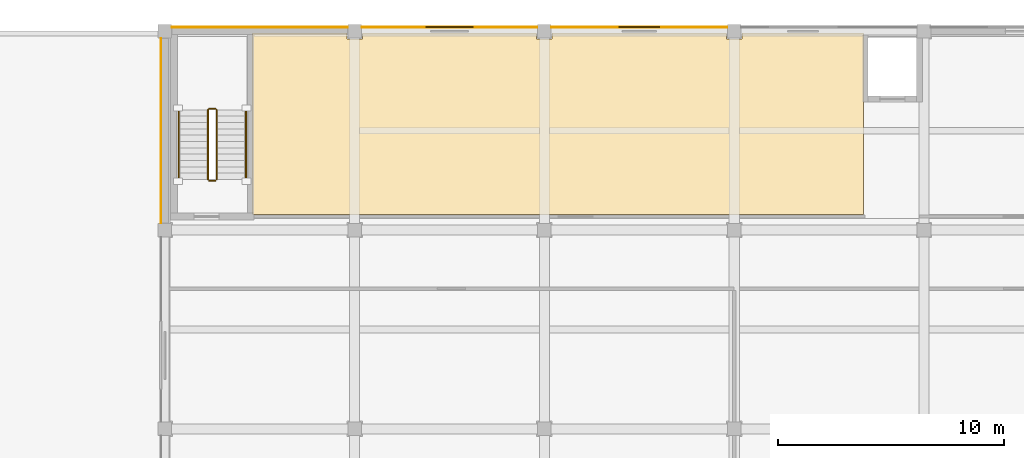
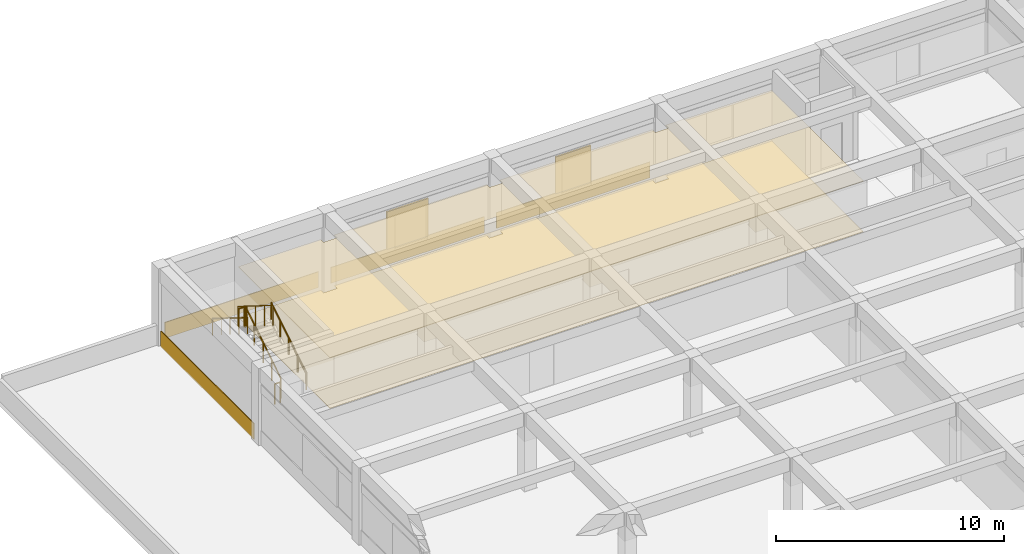
# One storey, part 50 of 57: 6 coverings, 6 railings, 2 shading devices.
"""IFC4 building model written with IfcOpenShell, lengths in metres."""

from ifc_helpers import new_model, si_unit, direction, frame, origin, origin_2d, place, context, subcontext, project, spatial, polyline, rectangle, circle, outline, extrude, material, layer, layer_set, type_object, element, save


model = new_model("IFC4")

# Units and contexts
model_context = context("Model", 3, precision=1e-05, world=origin(), true_north=direction((0.0, 1.0)))
body_context = subcontext(model_context, "Body", "Model", "MODEL_VIEW")
ifc_project = project(units=[si_unit("LENGTHUNIT", "METRE"), si_unit("AREAUNIT", "SQUARE_METRE"), si_unit("VOLUMEUNIT", "CUBIC_METRE"), si_unit("PLANEANGLEUNIT", "RADIAN"), si_unit("MASSUNIT", "GRAM", prefix="KILO")], contexts=[model_context])

# Site, building, storey
site_placement = place(None, origin())
site = spatial("IfcSite", under=ifc_project, at=site_placement, CompositionType="ELEMENT")
building_placement = place(site_placement, origin())
building = spatial("IfcBuilding", under=site, at=building_placement, Name="Kemercrest Conservatory and Botanical Centre", CompositionType="ELEMENT")
storey_placement = place(building_placement, frame((0.0, 0.0, 4.800048828125)))
storey = spatial("IfcBuildingStorey", under=building, at=storey_placement, Name="L01", CompositionType="ELEMENT", Elevation=4.800048828125)

# Coverings
ifc_material_1 = material(Name="Honed limestone almasik ashlar rainscreen", Category="masonry")
ifc_layer_1 = layer(ifc_material_1, 0.0400390625)
ifc_layer_set_1 = layer_set([ifc_layer_1], Name="Honed limestone almasik ashlar rainscreen")
covering_type_1 = type_object("IfcCoveringType", Name="CV-CLD040", PredefinedType="CLADDING", material=ifc_layer_set_1)
covering_1_placement = place(storey_placement, origin())
element("IfcCovering", 1, at=covering_1_placement, inside=storey, type_object=covering_type_1, Name="Exterior stone spandrel cladding (WAL:L01:EXT-110)", PredefinedType="CLADDING", context=body_context, shape_type="SweptSolid", body=[
    extrude(outline(polyline([(41.2900390625, 122.550048828125), (41.2900390625, 122.590087890625), (33.510009765625, 122.590087890625), (33.510009765625, 122.550048828125), (41.2900390625, 122.550048828125)])), origin(), (0.0, 0.0, 1.0), 0.849853515625),
])
covering_2_placement = place(storey_placement, origin())
element("IfcCovering", 2, at=covering_2_placement, inside=storey, type_object=covering_type_1, Name="Exterior stone spandrel cladding (WAL:L01:EXT-111)", PredefinedType="CLADDING", context=body_context, shape_type="SweptSolid", body=[
    extrude(outline(polyline([(32.889892578125, 122.550048828125), (32.889892578125, 122.590087890625), (25.110107421875, 122.590087890625), (25.110107421875, 122.550048828125), (32.889892578125, 122.550048828125)])), origin(), (0.0, 0.0, 1.0), 0.849853515625),
])
covering_3_placement = place(storey_placement, origin())
element("IfcCovering", 3, at=covering_3_placement, inside=storey, type_object=covering_type_1, Name="Exterior stone spandrel cladding (WAL:L01:EXT-112)", PredefinedType="CLADDING", context=body_context, shape_type="SweptSolid", body=[
    extrude(outline(polyline([(24.489990234375, 122.550048828125), (24.489990234375, 122.590087890625), (16.7099609375, 122.590087890625), (16.7099609375, 122.550048828125), (24.489990234375, 122.550048828125)])), origin(), (0.0, 0.0, 1.0), 0.849853515625),
])
covering_4_placement = place(storey_placement, origin())
element("IfcCovering", 4, at=covering_4_placement, inside=storey, type_object=covering_type_1, Name="Exterior stone spandrel cladding (WAL:L01:EXT-113)", PredefinedType="CLADDING", context=body_context, shape_type="SweptSolid", body=[
    extrude(outline(polyline([(16.25, 122.090087890625), (16.2099609375, 122.090087890625), (16.2099609375, 113.909912109375), (16.25, 113.909912109375), (16.25, 122.090087890625)])), origin(), (0.0, 0.0, 1.0), 0.849853515625),
])
ifc_material_2 = material(Name="Perforated acoustic gypsum and mineral-fibre suspended ceiling", Category="gypsum")
ifc_layer_2 = layer(ifc_material_2, 0.034912109375)
ifc_layer_set_2 = layer_set([ifc_layer_2], Name="Perforated acoustic gypsum and mineral-fibre suspended ceiling")
covering_type_2 = type_object("IfcCoveringType", Name="CV-CLG035", PredefinedType="CEILING", material=ifc_layer_set_2)
covering_5_placement = place(storey_placement, frame((0.0, 0.0, 2.699951171875)))
element("IfcCovering", 5, at=covering_5_placement, inside=storey, type_object=covering_type_2, Name="Community Outreach Classroom suspended acoustic ceiling", PredefinedType="CEILING", context=body_context, shape_type="SweptSolid", body=[
    extrude(outline(polyline([(20.280029296875, 114.280029296875), (47.320068359375, 114.280029296875), (47.320068359375, 122.320068359375), (41.93994140625, 122.320068359375), (41.93994140625, 122.06005859375), (41.260009765625, 122.06005859375), (41.260009765625, 122.320068359375), (33.5400390625, 122.320068359375), (33.5400390625, 122.06005859375), (32.860107421875, 122.06005859375), (32.860107421875, 122.320068359375), (25.139892578125, 122.320068359375), (25.139892578125, 122.06005859375), (24.4599609375, 122.06005859375), (24.4599609375, 122.320068359375), (20.280029296875, 122.320068359375), (20.280029296875, 114.280029296875)])), origin(), (0.0, 0.0, 1.0), 0.034912109375),
])
ifc_material_3 = material(Name="Polished limestone terrazzo and seamless laboratory epoxy flooring", Category="masonry")
ifc_layer_3 = layer(ifc_material_3, 0.02001953125)
ifc_layer_set_3 = layer_set([ifc_layer_3], Name="Polished limestone terrazzo and seamless laboratory epoxy flooring")
covering_type_3 = type_object("IfcCoveringType", Name="CV-FLR020", PredefinedType="FLOORING", material=ifc_layer_set_3)
covering_6_placement = place(storey_placement, origin())
element("IfcCovering", 6, at=covering_6_placement, inside=storey, type_object=covering_type_3, Name="Community Outreach Classroom floor finish", PredefinedType="FLOORING", context=body_context, shape_type="SweptSolid", body=[
    extrude(outline(polyline([(20.280029296875, 114.280029296875), (47.320068359375, 114.280029296875), (47.320068359375, 122.320068359375), (41.93994140625, 122.320068359375), (41.93994140625, 122.06005859375), (41.260009765625, 122.06005859375), (41.260009765625, 122.320068359375), (33.5400390625, 122.320068359375), (33.5400390625, 122.06005859375), (32.860107421875, 122.06005859375), (32.860107421875, 122.320068359375), (25.139892578125, 122.320068359375), (25.139892578125, 122.06005859375), (24.4599609375, 122.06005859375), (24.4599609375, 122.320068359375), (20.280029296875, 122.320068359375), (20.280029296875, 114.280029296875)])), origin(), (0.0, 0.0, 1.0), 0.02001953125),
])

# Railings
ifc_material_4 = material(Name="Painted galvanized steel tubular stair guardrail", Category="steel")
railing_type_1 = type_object("IfcRailingType", Name="GR-STR110", PredefinedType="GUARDRAIL", material=ifc_material_4)
railing_1_placement = place(storey_placement, frame((18.68994140625, 115.840087890625, 0.175048828125)))
element("IfcRailing", 7, at=railing_1_placement, inside=storey, type_object=railing_type_1, Name="L01 ST-V3A stair guard 1", PredefinedType="GUARDRAIL", context=body_context, shape_type="SweptSolid", body=[
    extrude(circle(Radius=0.02392578125, at=origin_2d()), frame((0.0, 0.0, 1.076171875), z_axis=(0.0, 0.848009633417, 0.529980812513), x_axis=(-1.0, 0.0, 0.0)), (0.0, 0.0, 1.0), 3.6318359375),
    extrude(circle(Radius=0.02099609375, at=origin_2d()), origin(), (0.0, 0.0, 1.0), 1.052001953125),
    extrude(circle(Radius=0.02099609375, at=origin_2d()), frame((0.0, 0.77001953125, 0.481201171875)), (0.0, 0.0, 1.0), 1.052001953125),
    extrude(circle(Radius=0.02099609375, at=origin_2d()), frame((0.0, 1.5400390625, 0.96240234375)), (0.0, 0.0, 1.0), 1.052001953125),
    extrude(circle(Radius=0.02099609375, at=origin_2d()), frame((0.0, 2.309814453125, 1.443603515625)), (0.0, 0.0, 1.0), 1.052001953125),
    extrude(circle(Radius=0.02099609375, at=origin_2d()), frame((0.0, 3.079833984375, 1.9248046875)), (0.0, 0.0, 1.0), 1.052001953125),
])
railing_2_placement = place(storey_placement, frame((18.639892578125, 118.969970703125, 2.099853515625)))
element("IfcRailing", 8, at=railing_2_placement, inside=storey, type_object=railing_type_1, Name="L01 ST-V3A stair guard 2", PredefinedType="GUARDRAIL", context=body_context, shape_type="SweptSolid", body=[
    extrude(circle(Radius=0.02392578125, at=origin_2d()), frame((0.0, 0.0, 1.076171875), z_axis=(-1.0, 0.0, 0.0), x_axis=(0.0, -1.0, 0.0)), (0.0, 0.0, 1.0), 0.27978515625),
    extrude(circle(Radius=0.02099609375, at=origin_2d()), origin(), (0.0, 0.0, 1.0), 1.052001953125),
    extrude(circle(Radius=0.02099609375, at=origin_2d()), frame((-0.27978515625, 0.0, 0.0)), (0.0, 0.0, 1.0), 1.052001953125),
])
railing_3_placement = place(storey_placement, frame((18.31005859375, 118.919921875, 2.27490234375)))
element("IfcRailing", 9, at=railing_3_placement, inside=storey, type_object=railing_type_1, Name="L01 ST-V3A stair guard 3", PredefinedType="GUARDRAIL", context=body_context, shape_type="SweptSolid", body=[
    extrude(circle(Radius=0.02392578125, at=origin_2d()), frame((0.0, 0.0, 1.076171875), z_axis=(0.0, -0.847979421464, 0.530029150871), x_axis=(1.0, 0.0, 0.0)), (0.0, 0.0, 1.0), 3.632080078125),
    extrude(circle(Radius=0.02099609375, at=origin_2d()), origin(), (0.0, 0.0, 1.0), 1.052001953125),
    extrude(circle(Radius=0.02099609375, at=origin_2d()), frame((0.0, -0.77001953125, 0.481201171875)), (0.0, 0.0, 1.0), 1.052001953125),
    extrude(circle(Radius=0.02099609375, at=origin_2d()), frame((0.0, -1.5400390625, 0.96240234375)), (0.0, 0.0, 1.0), 1.052001953125),
    extrude(circle(Radius=0.02099609375, at=origin_2d()), frame((0.0, -2.309814453125, 1.44384765625)), (0.0, 0.0, 1.0), 1.052001953125),
    extrude(circle(Radius=0.02099609375, at=origin_2d()), frame((0.0, -3.079833984375, 1.925048828125)), (0.0, 0.0, 1.0), 1.052001953125),
])
railing_4_placement = place(storey_placement, frame((18.639892578125, 115.7900390625, 0.0)))
element("IfcRailing", 10, at=railing_4_placement, inside=storey, type_object=railing_type_1, Name="L01 ST-V3A stair guard 4", PredefinedType="GUARDRAIL", context=body_context, shape_type="SweptSolid", body=[
    extrude(circle(Radius=0.02392578125, at=origin_2d()), frame((0.0, 0.0, 1.076171875), z_axis=(-1.0, 0.0, 0.0), x_axis=(0.0, -1.0, 0.0)), (0.0, 0.0, 1.0), 0.27978515625),
    extrude(circle(Radius=0.02099609375, at=origin_2d()), origin(), (0.0, 0.0, 1.0), 1.052001953125),
    extrude(circle(Radius=0.02099609375, at=origin_2d()), frame((-0.27978515625, 0.0, 0.0)), (0.0, 0.0, 1.0), 1.052001953125),
])
ifc_material_5 = material(Name="Brushed stainless steel wall-mounted handrail", Category="steel")
railing_type_2 = type_object("IfcRailingType", Name="HR-STR090", PredefinedType="HANDRAIL", material=ifc_material_5)
railing_5_placement = place(storey_placement, frame((19.989990234375, 115.840087890625, 0.175048828125)))
element("IfcRailing", 11, at=railing_5_placement, inside=storey, type_object=railing_type_2, Name="L01 ST-V3A stair handrail 1", PredefinedType="HANDRAIL", context=body_context, shape_type="SweptSolid", body=[
    extrude(circle(Radius=0.02392578125, at=origin_2d()), frame((0.0, 0.0, 0.8759765625), z_axis=(0.0, 0.848009633417, 0.529980812513), x_axis=(-1.0, 0.0, 0.0)), (0.0, 0.0, 1.0), 3.6318359375),
    extrude(circle(Radius=0.02099609375, at=origin_2d()), origin(), (0.0, 0.0, 1.0), 0.851806640625),
    extrude(circle(Radius=0.02099609375, at=origin_2d()), frame((0.0, 0.77001953125, 0.481201171875)), (0.0, 0.0, 1.0), 0.851806640625),
    extrude(circle(Radius=0.02099609375, at=origin_2d()), frame((0.0, 1.5400390625, 0.96240234375)), (0.0, 0.0, 1.0), 0.851806640625),
    extrude(circle(Radius=0.02099609375, at=origin_2d()), frame((0.0, 2.309814453125, 1.443603515625)), (0.0, 0.0, 1.0), 0.851806640625),
    extrude(circle(Radius=0.02099609375, at=origin_2d()), frame((0.0, 3.079833984375, 1.9248046875)), (0.0, 0.0, 1.0), 0.851806640625),
])
railing_6_placement = place(storey_placement, frame((17.010009765625, 118.919921875, 2.27490234375)))
element("IfcRailing", 12, at=railing_6_placement, inside=storey, type_object=railing_type_2, Name="L01 ST-V3A stair handrail 2", PredefinedType="HANDRAIL", context=body_context, shape_type="SweptSolid", body=[
    extrude(circle(Radius=0.02392578125, at=origin_2d()), frame((0.0, 0.0, 0.8759765625), z_axis=(0.0, -0.847979421464, 0.530029150871), x_axis=(1.0, 0.0, 0.0)), (0.0, 0.0, 1.0), 3.632080078125),
    extrude(circle(Radius=0.02099609375, at=origin_2d()), origin(), (0.0, 0.0, 1.0), 0.851806640625),
    extrude(circle(Radius=0.02099609375, at=origin_2d()), frame((0.0, -0.77001953125, 0.481201171875)), (0.0, 0.0, 1.0), 0.851806640625),
    extrude(circle(Radius=0.02099609375, at=origin_2d()), frame((0.0, -1.5400390625, 0.96240234375)), (0.0, 0.0, 1.0), 0.851806640625),
    extrude(circle(Radius=0.02099609375, at=origin_2d()), frame((0.0, -2.309814453125, 1.44384765625)), (0.0, 0.0, 1.0), 0.851806640625),
    extrude(circle(Radius=0.02099609375, at=origin_2d()), frame((0.0, -3.079833984375, 1.925048828125)), (0.0, 0.0, 1.0), 0.851806640625),
])

# Shading devices
ifc_material_6 = material(Name="Perforated bronze-anodized aluminium", Category="aluminium")
shading_device_type_1 = type_object("IfcShadingDeviceType", Name="SH-MS01", PredefinedType="USERDEFINED", material=ifc_material_6)
shading_device_1_placement = place(storey_placement, frame((37.39990234375, 122.587890625, 0.820068359375), z_axis=(0.0, 0.0, 1.0), x_axis=(-1.0, 0.0, 0.0)))
element("IfcShadingDevice", 13, at=shading_device_1_placement, inside=storey, type_object=shading_device_type_1, Name="Ottoman mashrabiya perforated screen SH-MS01 (WIN:L01:EXT-110)", ObjectType="MASHRABIYA SCREEN", PredefinedType="USERDEFINED", context=body_context, shape_type="SweptSolid", body=[
    extrude(rectangle(XDim=1.800048828125, YDim=0.080078125, at=origin_2d()), origin(), (0.0, 0.0, 1.0), 1.9599609375),
])
shading_device_type_2 = type_object("IfcShadingDeviceType", Name="SH-MS02", PredefinedType="USERDEFINED", material=ifc_material_6)
shading_device_2_placement = place(storey_placement, frame((29.0, 122.587890625, 0.81982421875), z_axis=(0.0, 0.0, 1.0), x_axis=(-1.0, 0.0, 0.0)))
element("IfcShadingDevice", 14, at=shading_device_2_placement, inside=storey, type_object=shading_device_type_2, Name="Ottoman mashrabiya perforated screen SH-MS02 (WIN:L01:EXT-111)", ObjectType="MASHRABIYA SCREEN", PredefinedType="USERDEFINED", context=body_context, shape_type="SweptSolid", body=[
    extrude(rectangle(XDim=2.10009765625, YDim=0.080078125, at=origin_2d()), origin(), (0.0, 0.0, 1.0), 2.010009765625),
])

save(model, "model.ifc")
